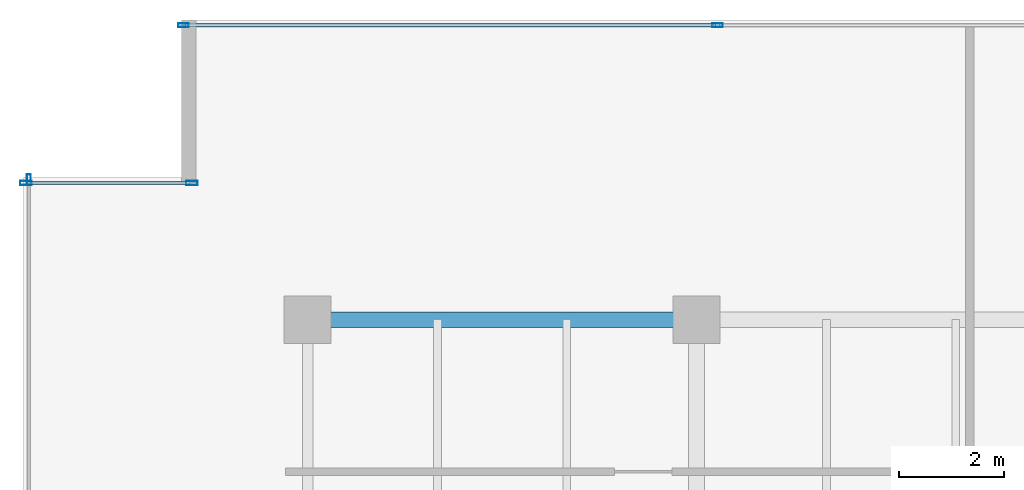
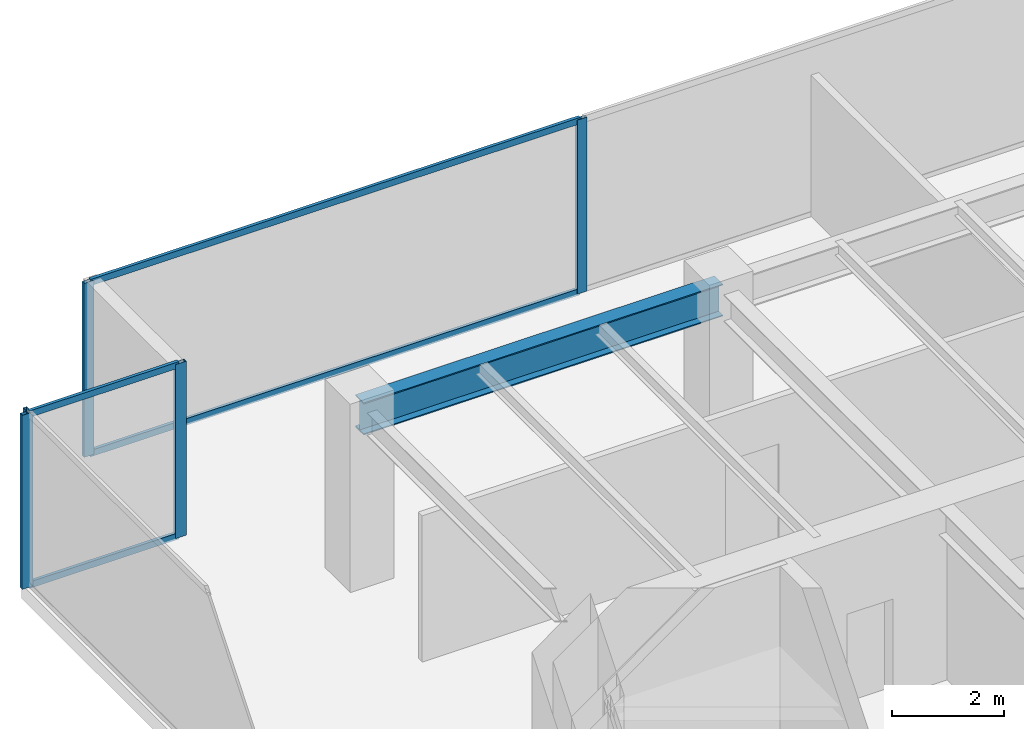
# One storey, part 14 of 31: 9 members, 1 beam, 3 elements without a shape of their own.
"""IFC4 building model written with IfcOpenShell, lengths in metres."""

from ifc_helpers import new_model, si_unit, direction, frame, origin, origin_2d, place, context, subcontext, project, spatial, hollow_rectangle, i_section, extrude, source, transform, mapped, material, layer, layer_set, material_profile, profile_set, type_object, type_shapes, element, aggregate, save


model = new_model("IFC4")

# Units and contexts
model_context = context("Model", 3, precision=1e-05, world=origin(), true_north=direction((0.0, 1.0)))
body_context = subcontext(model_context, "Body", "Model", "MODEL_VIEW")
ifc_project = project(units=[si_unit("LENGTHUNIT", "METRE"), si_unit("AREAUNIT", "SQUARE_METRE"), si_unit("VOLUMEUNIT", "CUBIC_METRE"), si_unit("PLANEANGLEUNIT", "RADIAN"), si_unit("MASSUNIT", "GRAM", prefix="KILO")], contexts=[model_context])

# Site, building, storey
site_placement = place(None, origin())
site = spatial("IfcSite", under=ifc_project, at=site_placement, CompositionType="ELEMENT")
building_placement = place(site_placement, origin())
building = spatial("IfcBuilding", under=site, at=building_placement, Name="Haelvirn Gate Laboratories", CompositionType="ELEMENT")
storey_placement = place(building_placement, frame((0.0, 0.0, 150.199951171875)))
storey = spatial("IfcBuildingStorey", under=building, at=storey_placement, Name="L36", CompositionType="ELEMENT", Elevation=150.199951171875)

# Beam
ifc_material_1 = material(Name="Steel SM355", Category="steel")
ifc_material_profile_1 = material_profile(ifc_material_1, i_section(OverallWidth=0.300048828125, OverallDepth=0.699951171875, WebThickness=0.012939453125, FlangeThickness=0.02392578125, at=origin_2d()), Name="H-700x300x13x24")
ifc_profile_set_1 = profile_set([ifc_material_profile_1], Name="Steel SM355")
beam_type = type_object("IfcBeamType", Name="BM-G-700", PredefinedType="BEAM", material=ifc_profile_set_1)
shared_shape_1 = source(origin(), body_context, "Body", "SweptSolid", [
    extrude(i_section(OverallWidth=0.300048828125, OverallDepth=0.699951171875, WebThickness=0.012939453125, FlangeThickness=0.02392578125, at=origin_2d()), origin(), (0.0, 0.0, 1.0), 7.400146484375),
])
type_shapes(beam_type, [shared_shape_1])
beam_placement = place(storey_placement, frame((7.39990234375, 41.60009765625, 3.43994140625), z_axis=(1.0, 0.0, 0.0), x_axis=(0.0, 1.0, 0.0)))
element("IfcBeam", 1, at=beam_placement, inside=storey, type_object=beam_type, Name="L36 Primary Girder Y41.6 (7.4-14.8)", PredefinedType="BEAM", context=body_context, shape_type="MappedRepresentation", body=[
    mapped(shared_shape_1, transform((0.0, 0.0, 0.0), scale=1.0)),
])

# Curtain wall, members
ifc_material_2 = material(Name="Anodised bronze unitised aluminium & triple low-E glass", Category="aluminium")
ifc_layer_1 = layer(ifc_material_2, 0.179931640625, Name="CW-SYS-3")
ifc_layer_set_1 = layer_set([ifc_layer_1], Name="Anodised bronze unitised aluminium & triple low-E glass")
curtain_wall_type_1 = type_object("IfcCurtainWallType", Name="CW-SYS-3", PredefinedType="NOTDEFINED", material=ifc_layer_set_1)
curtain_wall_1_placement = place(storey_placement, origin())
curtain_wall_1 = element("IfcCurtainWall", 2, at=curtain_wall_1_placement, inside=storey, type_object=curtain_wall_type_1, Name="L36 Unitised Curtain Wall CW-L36-P0-E14-1", PredefinedType="NOTDEFINED")
ifc_material_3 = material(Name="Extruded aluminium 6063-T6 (anodised bronze)", Category="aluminium")
ifc_material_profile_2 = material_profile(ifc_material_3, hollow_rectangle(XDim=0.06494140625, YDim=0.139892578125, WallThickness=0.00390625, at=origin_2d()), Name="CWT-140x65x4")
ifc_profile_set_2 = profile_set([ifc_material_profile_2], Name="Extruded aluminium 6063-T6 (anodised bronze)")
member_type_1 = type_object("IfcMemberType", Name="CWT-T140", PredefinedType="USERDEFINED", material=ifc_profile_set_2)
shared_shape_2 = source(origin(), body_context, "Body", "SweptSolid", [
    extrude(hollow_rectangle(XDim=0.06494140625, YDim=0.139892578125, WallThickness=0.00390625, at=origin_2d()), origin(), (0.0, 0.0, 1.0), 10.087646484375),
])
member_1_placement = place(storey_placement, frame((5.074951171875, 47.199951171875, 0.032470703125), z_axis=(1.0, 0.0, 0.0), x_axis=(0.0, 1.0, 0.0)))
member_1 = element("IfcMember", 3, at=member_1_placement, type_object=member_type_1, Name="CW3 transom 1.1", ObjectType="TRANSOM", PredefinedType="USERDEFINED", context=body_context, shape_type="MappedRepresentation", body=[
    mapped(shared_shape_2, transform((0.0, 0.0, 0.0), scale=1.0)),
])
member_2_placement = place(storey_placement, frame((5.074951171875, 47.199951171875, 3.757568359375), z_axis=(1.0, 0.0, 0.0), x_axis=(0.0, 1.0, 0.0)))
member_2 = element("IfcMember", 4, at=member_2_placement, type_object=member_type_1, Name="CW3 transom 1.2", ObjectType="TRANSOM", PredefinedType="USERDEFINED", context=body_context, shape_type="MappedRepresentation", body=[
    mapped(shared_shape_2, transform((0.0, 0.0, 0.0), scale=1.0)),
])

ifc_layer_2 = layer(ifc_material_2, 0.181884765625, Name="CW-SYS-5")
ifc_layer_set_2 = layer_set([ifc_layer_2], Name="Anodised bronze unitised aluminium & triple low-E glass")
curtain_wall_type_2 = type_object("IfcCurtainWallType", Name="CW-SYS-5", PredefinedType="NOTDEFINED", material=ifc_layer_set_2)
curtain_wall_2_placement = place(storey_placement, origin())
curtain_wall_2 = element("IfcCurtainWall", 5, at=curtain_wall_2_placement, inside=storey, type_object=curtain_wall_type_2, Name="L36 Unitised Curtain Wall CW-L36-P0-E16-1", PredefinedType="NOTDEFINED")
shared_shape_3 = source(origin(), body_context, "Body", "SweptSolid", [
    extrude(hollow_rectangle(XDim=0.06494140625, YDim=0.139892578125, WallThickness=0.00390625, at=origin_2d()), origin(), (0.0, 0.0, 1.0), 3.079833984375),
])
type_shapes(member_type_1, [shared_shape_2, shared_shape_3])
member_3_placement = place(storey_placement, frame((2.080078125, 44.199951171875, 0.032470703125), z_axis=(1.0, 0.0, 0.0), x_axis=(0.0, 1.0, 0.0)))
member_3 = element("IfcMember", 6, at=member_3_placement, type_object=member_type_1, Name="CW5 transom 1.1", ObjectType="TRANSOM", PredefinedType="USERDEFINED", context=body_context, shape_type="MappedRepresentation", body=[
    mapped(shared_shape_3, transform((0.0, 0.0, 0.0), scale=1.0)),
])
member_4_placement = place(storey_placement, frame((2.080078125, 44.199951171875, 3.757568359375), z_axis=(1.0, 0.0, 0.0), x_axis=(0.0, 1.0, 0.0)))
member_4 = element("IfcMember", 7, at=member_4_placement, type_object=member_type_1, Name="CW5 transom 1.2", ObjectType="TRANSOM", PredefinedType="USERDEFINED", context=body_context, shape_type="MappedRepresentation", body=[
    mapped(shared_shape_3, transform((0.0, 0.0, 0.0), scale=1.0)),
])

# Member
ifc_material_profile_3 = material_profile(ifc_material_3, hollow_rectangle(XDim=0.074951171875, YDim=0.199951171875, WallThickness=0.0048828125, at=origin_2d()), Name="CWM-200x75x5")
ifc_profile_set_3 = profile_set([ifc_material_profile_3], Name="Extruded aluminium 6063-T6 (anodised bronze)")
member_type_2 = type_object("IfcMemberType", Name="CWM-T200", PredefinedType="MULLION", material=ifc_profile_set_3)
shared_shape_4 = source(origin(), body_context, "Body", "SweptSolid", [
    extrude(hollow_rectangle(XDim=0.074951171875, YDim=0.199951171875, WallThickness=0.0048828125, at=origin_2d()), origin(), (0.0, 0.0, 1.0), 3.7900390625),
])
type_shapes(member_type_2, [shared_shape_4])
member_5_placement = place(storey_placement, frame((5.03759765625, 47.199951171875, 0.0), z_axis=(0.0, 0.0, 1.0), x_axis=(0.0, 1.0, 0.0)))
member_5 = element("IfcMember", 8, at=member_5_placement, type_object=member_type_2, Name="CW3 mullion 1", PredefinedType="MULLION", context=body_context, shape_type="MappedRepresentation", body=[
    mapped(shared_shape_4, transform((0.0, 0.0, 0.0), scale=1.0)),
])

member_6_placement = place(storey_placement, frame((15.199951171875, 47.199951171875, 0.0), z_axis=(0.0, 0.0, 1.0), x_axis=(0.0, 1.0, 0.0)))
member_6 = element("IfcMember", 9, at=member_6_placement, type_object=member_type_2, Name="CW3 mullion 2", PredefinedType="MULLION", context=body_context, shape_type="MappedRepresentation", body=[
    mapped(shared_shape_4, transform((0.0, 0.0, 0.0), scale=1.0)),
])

aggregate(curtain_wall_1, [member_5, member_6, member_1, member_2])

# Curtain wall, member
curtain_wall_3_placement = place(storey_placement, origin())
curtain_wall_3 = element("IfcCurtainWall", 10, at=curtain_wall_3_placement, inside=storey, type_object=curtain_wall_type_1, Name="L36 Unitised Curtain Wall CW-L36-P0-E17", PredefinedType="NOTDEFINED")
member_7_placement = place(storey_placement, frame((2.10009765625, 44.262451171875, 0.0), z_axis=(0.0, 0.0, 1.0), x_axis=(1.0, 0.0, 0.0)))
member_7 = element("IfcMember", 11, at=member_7_placement, type_object=member_type_2, Name="CW3 mullion 1", PredefinedType="MULLION", context=body_context, shape_type="MappedRepresentation", body=[
    mapped(shared_shape_4, transform((0.0, 0.0, 0.0), scale=1.0)),
])
aggregate(curtain_wall_3, [member_7])

# Member
ifc_material_profile_4 = material_profile(ifc_material_3, hollow_rectangle(XDim=0.080078125, YDim=0.219970703125, WallThickness=0.006103515625, at=origin_2d()), Name="CWM-220x80x6")
ifc_profile_set_4 = profile_set([ifc_material_profile_4], Name="Extruded aluminium 6063-T6 (anodised bronze)")
member_type_3 = type_object("IfcMemberType", Name="CWM-T220", PredefinedType="MULLION", material=ifc_profile_set_4)
shared_shape_5 = source(origin(), body_context, "Body", "SweptSolid", [
    extrude(hollow_rectangle(XDim=0.080078125, YDim=0.219970703125, WallThickness=0.006103515625, at=origin_2d()), origin(), (0.0, 0.0, 1.0), 3.7900390625),
])
type_shapes(member_type_3, [shared_shape_5])
member_8_placement = place(storey_placement, frame((2.0400390625, 44.199951171875, 0.0), z_axis=(0.0, 0.0, 1.0), x_axis=(0.0, 1.0, 0.0)))
member_8 = element("IfcMember", 12, at=member_8_placement, type_object=member_type_3, Name="CW5 mullion 1", PredefinedType="MULLION", context=body_context, shape_type="MappedRepresentation", body=[
    mapped(shared_shape_5, transform((0.0, 0.0, 0.0), scale=1.0)),
])

member_9_placement = place(storey_placement, frame((5.199951171875, 44.199951171875, 0.0), z_axis=(0.0, 0.0, 1.0), x_axis=(0.0, 1.0, 0.0)))
member_9 = element("IfcMember", 13, at=member_9_placement, type_object=member_type_3, Name="CW5 mullion 2", PredefinedType="MULLION", context=body_context, shape_type="MappedRepresentation", body=[
    mapped(shared_shape_5, transform((0.0, 0.0, 0.0), scale=1.0)),
])

aggregate(curtain_wall_2, [member_8, member_9, member_3, member_4])

save(model, "model.ifc")
